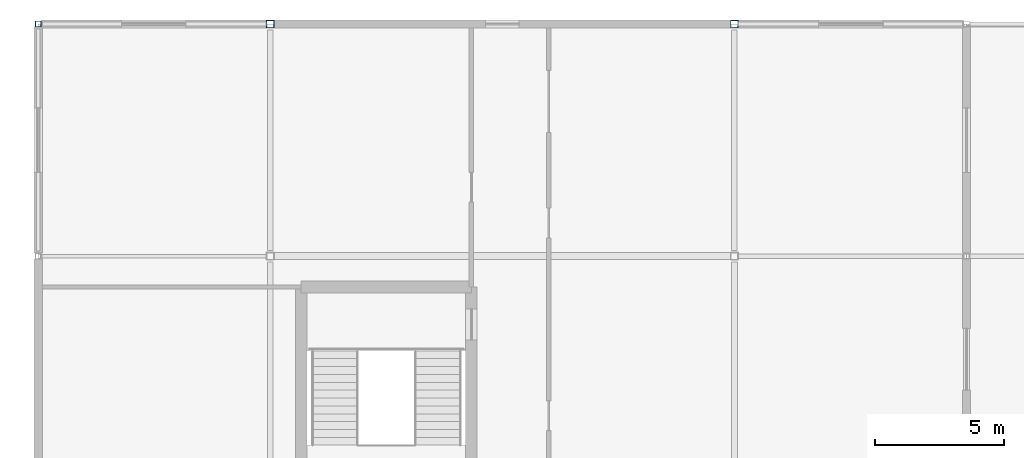
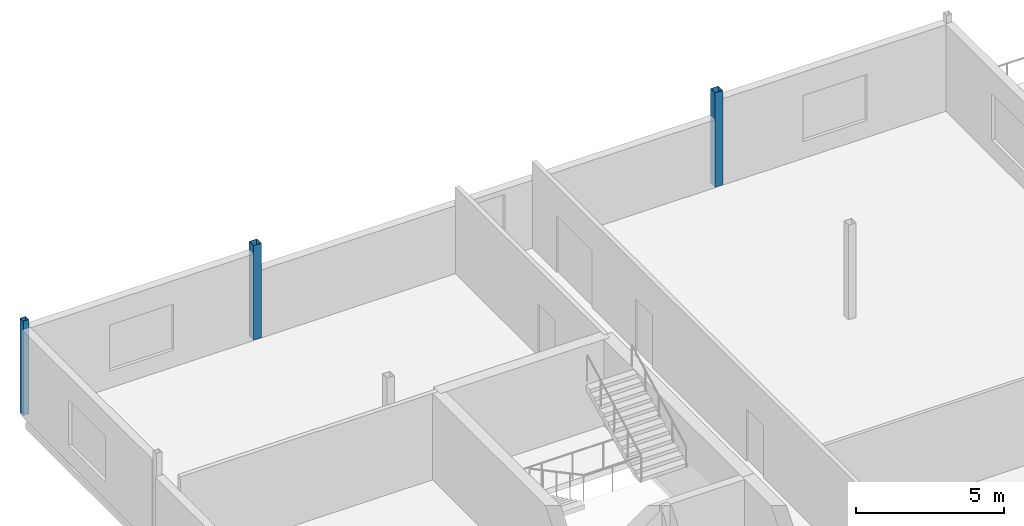
# One storey, part 9 of 55: 3 columns.
"""IFC4 building model written with IfcOpenShell, lengths in metres."""

from ifc_helpers import new_model, si_unit, direction, frame, origin, origin_2d, place, context, subcontext, project, spatial, hollow_rectangle, extrude, material, material_profile, profile_set, type_object, element, save


model = new_model("IFC4")

# Units and contexts
model_context = context("Model", 3, precision=1e-05, world=origin(), true_north=direction((0.0, 1.0)))
body_context = subcontext(model_context, "Body", "Model", "MODEL_VIEW")
ifc_project = project(units=[si_unit("LENGTHUNIT", "METRE"), si_unit("AREAUNIT", "SQUARE_METRE"), si_unit("VOLUMEUNIT", "CUBIC_METRE"), si_unit("PLANEANGLEUNIT", "RADIAN"), si_unit("MASSUNIT", "GRAM", prefix="KILO")], contexts=[model_context])

# Site, building, storey
site_placement = place(None, origin())
site = spatial("IfcSite", under=ifc_project, at=site_placement, CompositionType="ELEMENT")
building_placement = place(site_placement, origin())
building = spatial("IfcBuilding", under=site, at=building_placement, Name="Kisiwana Market Hall", CompositionType="ELEMENT")
storey_placement = place(building_placement, frame((0.0, 0.0, 37.800048828125)))
storey = spatial("IfcBuildingStorey", under=building, at=storey_placement, Name="L08", CompositionType="ELEMENT", Elevation=37.800048828125)

# Columns
ifc_material_1 = material(Name="Steel S355", Category="steel")
ifc_material_profile_1 = material_profile(ifc_material_1, hollow_rectangle(XDim=0.219970703125, YDim=0.219970703125, WallThickness=0.010009765625, at=origin_2d()), Name="SHS 220x220x10")
ifc_profile_set_1 = profile_set([ifc_material_profile_1], Name="Steel S355")
column_type_1 = type_object("IfcColumnType", Name="COL-STL-SHS220", PredefinedType="COLUMN", material=ifc_profile_set_1)
column_placement = place(storey_placement, frame((0.0, 111.0, 0.0), z_axis=(0.0, 0.0, 1.0), x_axis=(1.0, 0.0, 0.0)))
element("IfcColumn", 1, at=column_placement, inside=storey, type_object=column_type_1, Name="Column P/1 (L08) C-1160", PredefinedType="COLUMN", context=body_context, shape_type="SweptSolid", body=[
    extrude(hollow_rectangle(XDim=0.219970703125, YDim=0.219970703125, WallThickness=0.010009765625, at=origin_2d()), origin(), (0.0, 0.0, 1.0), 3.89990234375),
])
ifc_material_2 = material(Name="Steel S355", Category="steel")
ifc_material_profile_2 = material_profile(ifc_material_2, hollow_rectangle(XDim=0.300048828125, YDim=0.300048828125, WallThickness=0.012451171875, at=origin_2d()), Name="SHS 300x300x12.5")
ifc_profile_set_2 = profile_set([ifc_material_profile_2], Name="Steel S355")
column_type_2 = type_object("IfcColumnType", Name="COL-STL-SHS300", PredefinedType="COLUMN", material=ifc_profile_set_2)
for number, where, z_axis, x_axis, name in (
    (2, (9.0, 111.0, 0.0), (0.0, 0.0, 1.0), (1.0, 0.0, 0.0), "Column P/2 (L08) C-1166"),
    (3, (27.0, 111.0, 0.0), (0.0, 0.0, 1.0), (1.0, 0.0, 0.0), "Column P/4 (L08) C-1173"),
):
    element("IfcColumn", number, at=place(storey_placement, frame(where, z_axis=z_axis, x_axis=x_axis)), inside=storey, type_object=column_type_2, Name=name, PredefinedType="COLUMN", context=body_context, shape_type="SweptSolid", body=[
        extrude(hollow_rectangle(XDim=0.300048828125, YDim=0.300048828125, WallThickness=0.012451171875, at=origin_2d()), origin(), (0.0, 0.0, 1.0), 3.89990234375),
    ])

save(model, "model.ifc")
